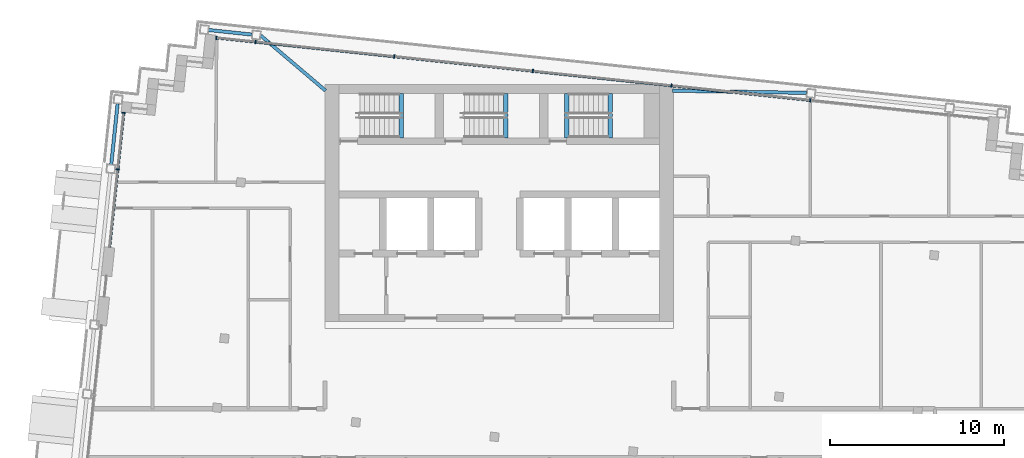
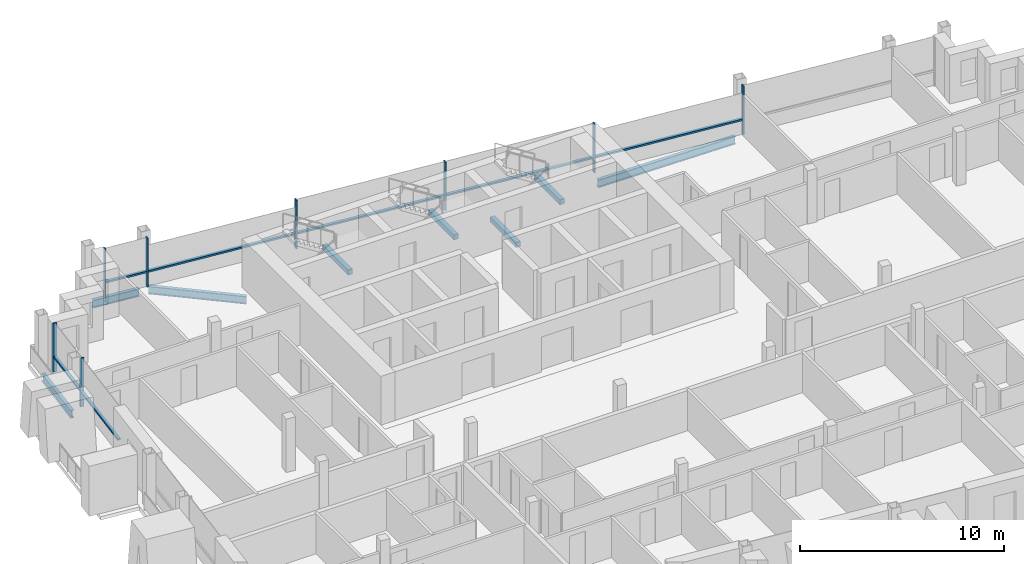
# One storey, part 5 of 16: 15 members, 8 beams, 2 elements without a shape of their own.
"""IFC4 building model written with IfcOpenShell, lengths in metres."""

from ifc_helpers import new_model, si_unit, direction, frame, origin, origin_2d, place, context, subcontext, project, spatial, rectangle, i_section, extrude, material, material_profile, profile_set, type_object, element, aggregate, save


model = new_model("IFC4")

# Units and contexts
model_context = context("Model", 3, precision=1e-05, world=origin(), true_north=direction((0.0, 1.0)))
body_context = subcontext(model_context, "Body", "Model", "MODEL_VIEW")
ifc_project = project(units=[si_unit("LENGTHUNIT", "METRE"), si_unit("AREAUNIT", "SQUARE_METRE"), si_unit("VOLUMEUNIT", "CUBIC_METRE"), si_unit("PLANEANGLEUNIT", "RADIAN"), si_unit("MASSUNIT", "GRAM", prefix="KILO")], contexts=[model_context])

# Site, building, storey
site_placement = place(None, origin())
site = spatial("IfcSite", under=ifc_project, at=site_placement, CompositionType="ELEMENT")
building_placement = place(site_placement, origin())
building = spatial("IfcBuilding", under=site, at=building_placement, Name="Vidyagriha Tower", CompositionType="ELEMENT")
storey_placement = place(building_placement, frame((0.0, 0.0, 256.300048828125)))
storey = spatial("IfcBuildingStorey", under=building, at=storey_placement, Name="L66", CompositionType="ELEMENT", Elevation=256.300048828125)

# Beams
ifc_material_1 = material(Name="Steel ASTM A992 Grade 50", Category="steel")
ifc_material_profile_1 = material_profile(ifc_material_1, i_section(OverallWidth=0.19189453125, OverallDepth=0.46240234375, WebThickness=0.010498046875, FlangeThickness=0.017578125, at=origin_2d()), Name="W18X60")
ifc_profile_set_1 = profile_set([ifc_material_profile_1], Name="Steel ASTM A992 Grade 50")
beam_type_1 = type_object("IfcBeamType", Name="Edge beam W18X60", PredefinedType="SPANDREL", material=ifc_profile_set_1)
beam_1_placement = place(storey_placement, frame((-22.263916015625, 15.422607421875, -0.51123046875), z_axis=(0.104495960989, 0.994525310958, 0.0), x_axis=(-0.994525310958, 0.104495960989, 0.0)))
element("IfcBeam", 1, at=beam_1_placement, inside=storey, type_object=beam_type_1, Name="st-beam-L66-W12", PredefinedType="SPANDREL", context=body_context, shape_type="SweptSolid", body=[
    extrude(i_section(OverallWidth=0.19189453125, OverallDepth=0.46240234375, WebThickness=0.010498046875, FlangeThickness=0.017578125, at=origin_2d()), origin(), (0.0, 0.0, 1.0), 3.499755859375),
])
beam_2_placement = place(storey_placement, frame((-16.677490234375, 23.130859375, -0.51123046875), z_axis=(0.994514546653, -0.104598357995, 0.0), x_axis=(0.104598357995, 0.994514546653, 0.0)))
element("IfcBeam", 2, at=beam_2_placement, inside=storey, type_object=beam_type_1, Name="st-beam-L66-NW18", PredefinedType="SPANDREL", context=body_context, shape_type="SweptSolid", body=[
    extrude(i_section(OverallWidth=0.19189453125, OverallDepth=0.46240234375, WebThickness=0.010498046875, FlangeThickness=0.017578125, at=origin_2d()), origin(), (0.0, 0.0, 1.0), 2.499755859375),
])
beam_3_placement = place(storey_placement, frame((-13.694091796875, 22.817138671875, -0.51123046875), z_axis=(0.762224865329, -0.647312331625, 0.0), x_axis=(0.647312331625, 0.762224865329, 0.0)))
element("IfcBeam", 3, at=beam_3_placement, inside=storey, type_object=beam_type_1, Name="st-beam-L66-NC21", PredefinedType="SPANDREL", context=body_context, shape_type="SweptSolid", body=[
    extrude(i_section(OverallWidth=0.19189453125, OverallDepth=0.46240234375, WebThickness=0.010498046875, FlangeThickness=0.017578125, at=origin_2d()), origin(), (0.0, 0.0, 1.0), 4.892822265625),
])
beam_4_placement = place(storey_placement, frame((9.92578125, 19.64990234375, -0.51123046875), z_axis=(0.99986748631, -0.016279122203, 0.0), x_axis=(0.016279122203, 0.99986748631, 0.0)))
element("IfcBeam", 4, at=beam_4_placement, inside=storey, type_object=beam_type_1, Name="st-beam-L66-NC22", PredefinedType="SPANDREL", context=body_context, shape_type="SweptSolid", body=[
    extrude(i_section(OverallWidth=0.19189453125, OverallDepth=0.46240234375, WebThickness=0.010498046875, FlangeThickness=0.017578125, at=origin_2d()), origin(), (0.0, 0.0, 1.0), 7.70849609375),
])

# Curtain wall, members
ifc_material_2 = material(Name="Aluminium and glass curtain wall", Category="aluminium")
curtain_wall_type = type_object("IfcCurtainWallType", Name="Dwelling skin unitised curtain wall", PredefinedType="USERDEFINED", material=ifc_material_2)
curtain_wall_1_placement = place(storey_placement, origin())
curtain_wall_1 = element("IfcCurtainWall", 5, at=curtain_wall_1_placement, inside=storey, type_object=curtain_wall_type, Name="CW1 dwelling skin", ObjectType="UNITISED", PredefinedType="USERDEFINED")
ifc_material_3 = material(Name="Aluminium black anodised", Category="aluminium")
ifc_material_profile_2 = material_profile(ifc_material_3, rectangle(XDim=0.199951171875, YDim=0.070068359375, at=origin_2d()), Name="Mullion 70x200 black aluminium")
ifc_profile_set_2 = profile_set([ifc_material_profile_2], Name="Aluminium black anodised")
member_type_1 = type_object("IfcMemberType", Name="Mullion 70x200 black aluminium", PredefinedType="MULLION", material=ifc_profile_set_2)
member_1_placement = place(storey_placement, frame((17.840087890625, 19.1005859375, 0.0), z_axis=(0.0, 0.0, 1.0), x_axis=(-0.104528852722, -0.994521854435, 0.0)))
member_1 = element("IfcMember", 6, at=member_1_placement, type_object=member_type_1, Name="CW1 mullion 3", PredefinedType="MULLION", context=body_context, shape_type="SweptSolid", body=[
    extrude(rectangle(XDim=0.199951171875, YDim=0.070068359375, at=origin_2d()), origin(), (0.0, 0.0, 1.0), 2.919921875),
])
member_2_placement = place(storey_placement, frame((9.884033203125, 19.936767578125, 0.0), z_axis=(0.0, 0.0, 1.0), x_axis=(-0.104528852722, -0.994521854435, 0.0)))
member_2 = element("IfcMember", 7, at=member_2_placement, type_object=member_type_1, Name="CW1 mullion 4", PredefinedType="MULLION", context=body_context, shape_type="SweptSolid", body=[
    extrude(rectangle(XDim=0.199951171875, YDim=0.070068359375, at=origin_2d()), origin(), (0.0, 0.0, 1.0), 2.919921875),
])
member_3_placement = place(storey_placement, frame((1.927978515625, 20.773193359375, 0.0), z_axis=(0.0, 0.0, 1.0), x_axis=(-0.104528852722, -0.994521854435, 0.0)))
member_3 = element("IfcMember", 8, at=member_3_placement, type_object=member_type_1, Name="CW1 mullion 5", PredefinedType="MULLION", context=body_context, shape_type="SweptSolid", body=[
    extrude(rectangle(XDim=0.199951171875, YDim=0.070068359375, at=origin_2d()), origin(), (0.0, 0.0, 1.0), 2.919921875),
])
member_4_placement = place(storey_placement, frame((-6.0283203125, 21.609375, 0.0), z_axis=(0.0, 0.0, 1.0), x_axis=(-0.104528852722, -0.994521854435, 0.0)))
member_4 = element("IfcMember", 9, at=member_4_placement, type_object=member_type_1, Name="CW1 mullion 6", PredefinedType="MULLION", context=body_context, shape_type="SweptSolid", body=[
    extrude(rectangle(XDim=0.199951171875, YDim=0.070068359375, at=origin_2d()), origin(), (0.0, 0.0, 1.0), 2.919921875),
])
member_5_placement = place(storey_placement, frame((-13.984375, 22.445556640625, 0.0), z_axis=(0.0, 0.0, 1.0), x_axis=(-0.104528852722, -0.994521854435, 0.0)))
member_5 = element("IfcMember", 10, at=member_5_placement, type_object=member_type_1, Name="CW1 mullion 7", PredefinedType="MULLION", context=body_context, shape_type="SweptSolid", body=[
    extrude(rectangle(XDim=0.199951171875, YDim=0.070068359375, at=origin_2d()), origin(), (0.0, 0.0, 1.0), 2.919921875),
])
member_6_placement = place(storey_placement, frame((-16.2373046875, 22.682373046875, 0.0), z_axis=(0.0, 0.0, 1.0), x_axis=(-0.104528852722, -0.994521854435, 0.0)))
member_6 = element("IfcMember", 11, at=member_6_placement, type_object=member_type_1, Name="CW1 mullion 8", PredefinedType="MULLION", context=body_context, shape_type="SweptSolid", body=[
    extrude(rectangle(XDim=0.199951171875, YDim=0.070068359375, at=origin_2d()), origin(), (0.0, 0.0, 1.0), 2.919921875),
])

curtain_wall_2_placement = place(storey_placement, origin())
curtain_wall_2 = element("IfcCurtainWall", 12, at=curtain_wall_2_placement, inside=storey, type_object=curtain_wall_type, Name="CW1 dwelling skin", ObjectType="UNITISED", PredefinedType="USERDEFINED")
member_7_placement = place(storey_placement, frame((-21.551025390625, 18.379150390625, 0.0), z_axis=(0.0, 0.0, 1.0), x_axis=(0.994522229676, -0.104525282489, 0.0)))
member_7 = element("IfcMember", 13, at=member_7_placement, type_object=member_type_1, Name="CW1 mullion 1", PredefinedType="MULLION", context=body_context, shape_type="SweptSolid", body=[
    extrude(rectangle(XDim=0.199951171875, YDim=0.070068359375, at=origin_2d()), origin(), (0.0, 0.0, 1.0), 2.919921875),
])
member_8_placement = place(storey_placement, frame((-21.892333984375, 15.132080078125, 0.0), z_axis=(0.0, 0.0, 1.0), x_axis=(0.994522229676, -0.104525282489, 0.0)))
member_8 = element("IfcMember", 14, at=member_8_placement, type_object=member_type_1, Name="CW1 mullion 2", PredefinedType="MULLION", context=body_context, shape_type="SweptSolid", body=[
    extrude(rectangle(XDim=0.199951171875, YDim=0.070068359375, at=origin_2d()), origin(), (0.0, 0.0, 1.0), 2.919921875),
])

# Beams
ifc_material_4 = material(Name="Concrete C40/50", Category="concrete")
ifc_material_profile_3 = material_profile(ifc_material_4, rectangle(XDim=0.25, YDim=0.300048828125, at=origin_2d()), Name="Stair landing bearing beam 250x300")
ifc_profile_set_3 = profile_set([ifc_material_profile_3], Name="Concrete C40/50")
beam_type_2 = type_object("IfcBeamType", Name="Stair landing bearing beam 250x300", PredefinedType="BEAM", material=ifc_profile_set_3)
for number, where, z_axis, x_axis, name in (
    (15, (3.875, 16.949951171875, -0.429931640625), (0.0, 1.0, 0.0), (-1.0, 0.0, 0.0), "ST3 floor landing bearing beam L66"),
    (16, (-5.635009765625, 16.949951171875, 1.25), (0.0, 1.0, 0.0), (-1.0, 0.0, 0.0), "ST1 landing bearing beam L66"),
    (17, (0.364990234375, 16.949951171875, 1.25), (0.0, 1.0, 0.0), (-1.0, 0.0, 0.0), "ST2 landing bearing beam L66"),
    (18, (6.364990234375, 16.949951171875, 1.25), (0.0, 1.0, 0.0), (-1.0, 0.0, 0.0), "ST3 landing bearing beam L66"),
):
    element("IfcBeam", number, at=place(storey_placement, frame(where, z_axis=z_axis, x_axis=x_axis)), inside=storey, type_object=beam_type_2, Name=name, PredefinedType="BEAM", context=body_context, shape_type="SweptSolid", body=[
        extrude(rectangle(XDim=0.25, YDim=0.300048828125, at=origin_2d()), origin(), (0.0, 0.0, 1.0), 2.550048828125),
    ])

# Member
ifc_material_5 = material(Name="Aluminium black anodised", Category="aluminium")
ifc_material_profile_4 = material_profile(ifc_material_5, rectangle(XDim=0.159912109375, YDim=0.10009765625, at=origin_2d()), Name="Transom 100x160 black aluminium")
ifc_profile_set_4 = profile_set([ifc_material_profile_4], Name="Aluminium black anodised")
member_type_2 = type_object("IfcMemberType", Name="Transom 100x160 black aluminium", PredefinedType="USERDEFINED", material=ifc_profile_set_4)
member_9_placement = place(storey_placement, frame((17.805419921875, 19.104248046875, 0.89990234375), z_axis=(-0.994522814543, 0.104519717539, 0.0), x_axis=(-0.104519717539, -0.994522814543, 0.0)))
member_9 = element("IfcMember", 19, at=member_9_placement, type_object=member_type_2, Name="CW1 transom 3.1", ObjectType="TRANSOM", PredefinedType="USERDEFINED", context=body_context, shape_type="SweptSolid", body=[
    extrude(rectangle(XDim=0.159912109375, YDim=0.10009765625, at=origin_2d()), origin(), (0.0, 0.0, 1.0), 7.93017578125),
])

member_10_placement = place(storey_placement, frame((9.84912109375, 19.9404296875, 0.89990234375), z_axis=(-0.994519277397, 0.104553368605, 0.0), x_axis=(-0.104553368605, -0.994519277397, 0.0)))
member_10 = element("IfcMember", 20, at=member_10_placement, type_object=member_type_2, Name="CW1 transom 4.1", ObjectType="TRANSOM", PredefinedType="USERDEFINED", context=body_context, shape_type="SweptSolid", body=[
    extrude(rectangle(XDim=0.159912109375, YDim=0.10009765625, at=origin_2d()), origin(), (0.0, 0.0, 1.0), 7.929931640625),
])

member_11_placement = place(storey_placement, frame((1.89306640625, 20.77685546875, 0.89990234375), z_axis=(-0.994522478205, 0.104522917794, 0.0), x_axis=(-0.104522917794, -0.994522478205, 0.0)))
member_11 = element("IfcMember", 21, at=member_11_placement, type_object=member_type_2, Name="CW1 transom 5.1", ObjectType="TRANSOM", PredefinedType="USERDEFINED", context=body_context, shape_type="SweptSolid", body=[
    extrude(rectangle(XDim=0.159912109375, YDim=0.10009765625, at=origin_2d()), origin(), (0.0, 0.0, 1.0), 7.929931640625),
])

member_12_placement = place(storey_placement, frame((-6.06298828125, 21.613037109375, 0.89990234375), z_axis=(-0.994522814543, 0.104519717539, 0.0), x_axis=(-0.104519717539, -0.994522814543, 0.0)))
member_12 = element("IfcMember", 22, at=member_12_placement, type_object=member_type_2, Name="CW1 transom 6.1", ObjectType="TRANSOM", PredefinedType="USERDEFINED", context=body_context, shape_type="SweptSolid", body=[
    extrude(rectangle(XDim=0.159912109375, YDim=0.10009765625, at=origin_2d()), origin(), (0.0, 0.0, 1.0), 7.93017578125),
])

member_13_placement = place(storey_placement, frame((-14.019287109375, 22.44921875, 0.89990234375), z_axis=(-0.994520069272, 0.104545835956, 0.0), x_axis=(-0.104545835956, -0.994520069272, 0.0)))
member_13 = element("IfcMember", 23, at=member_13_placement, type_object=member_type_2, Name="CW1 transom 7.1", ObjectType="TRANSOM", PredefinedType="USERDEFINED", context=body_context, shape_type="SweptSolid", body=[
    extrude(rectangle(XDim=0.159912109375, YDim=0.10009765625, at=origin_2d()), origin(), (0.0, 0.0, 1.0), 2.195068359375),
])

aggregate(curtain_wall_1, [member_1, member_2, member_3, member_4, member_5, member_6, member_9, member_10, member_11, member_12, member_13])

member_14_placement = place(storey_placement, frame((-21.5546875, 18.344482421875, 0.89990234375), z_axis=(-0.104533631179, -0.994521352185, 0.0), x_axis=(0.994521352185, -0.104533631179, 0.0)))
member_14 = element("IfcMember", 24, at=member_14_placement, type_object=member_type_2, Name="CW1 transom 1.1", ObjectType="TRANSOM", PredefinedType="USERDEFINED", context=body_context, shape_type="SweptSolid", body=[
    extrude(rectangle(XDim=0.159912109375, YDim=0.10009765625, at=origin_2d()), origin(), (0.0, 0.0, 1.0), 3.195068359375),
])

member_15_placement = place(storey_placement, frame((-21.89599609375, 15.097412109375, 0.89990234375), z_axis=(-0.104542473379, -0.994520422746, 0.0), x_axis=(0.994520422746, -0.104542473379, 0.0)))
member_15 = element("IfcMember", 25, at=member_15_placement, type_object=member_type_2, Name="CW1 transom 2.1", ObjectType="TRANSOM", PredefinedType="USERDEFINED", context=body_context, shape_type="SweptSolid", body=[
    extrude(rectangle(XDim=0.159912109375, YDim=0.10009765625, at=origin_2d()), origin(), (0.0, 0.0, 1.0), 4.465087890625),
])

aggregate(curtain_wall_2, [member_7, member_8, member_14, member_15])

save(model, "model.ifc")
